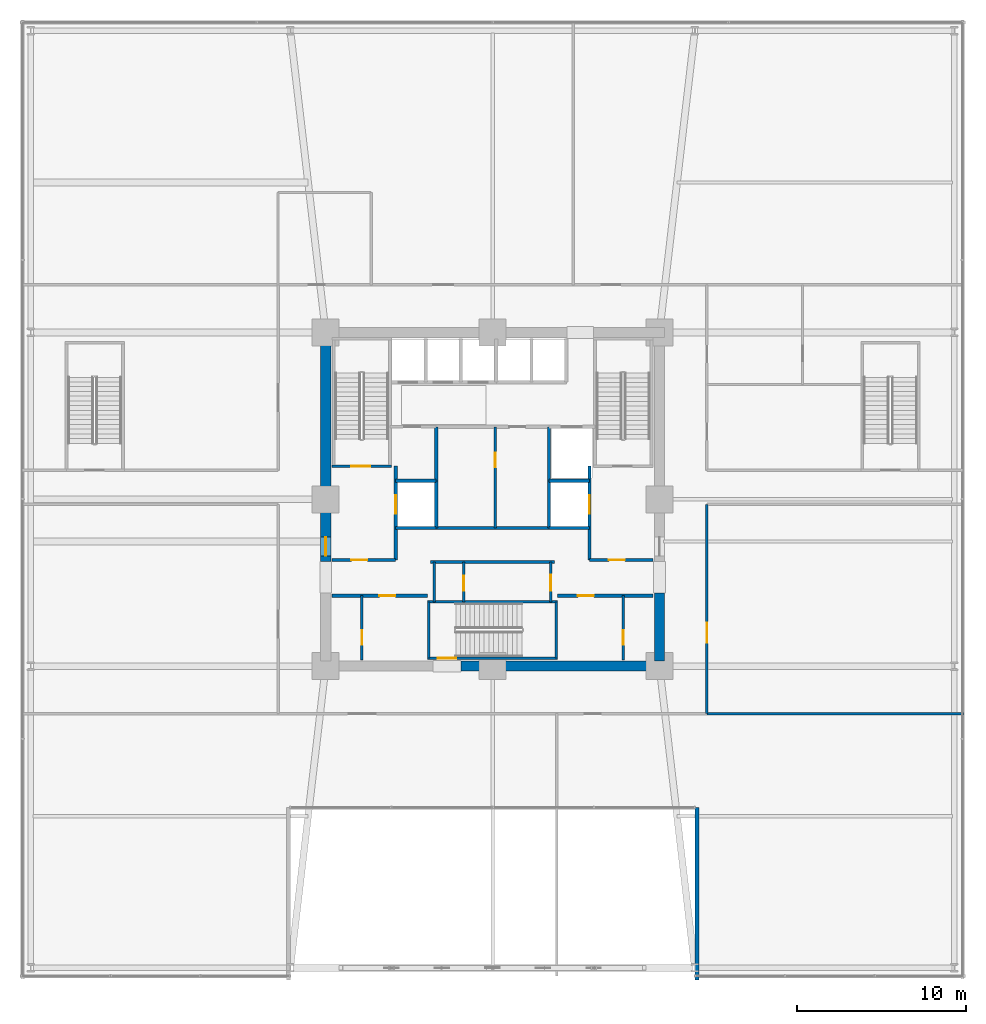
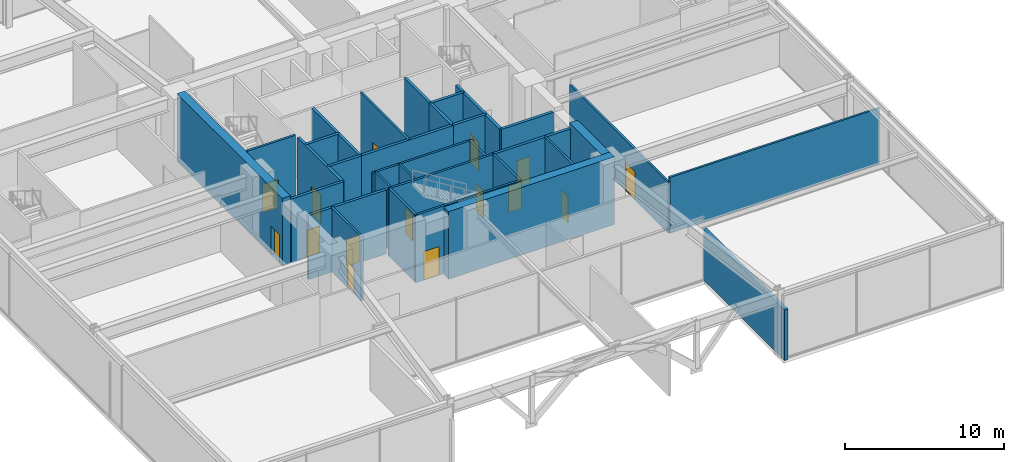
# One storey, part 43 of 49: 33 walls, 15 doors, 15 openings.
"""IFC4 building model written with IfcOpenShell, lengths in metres."""

from ifc_helpers import new_model, si_unit, direction, frame, frame_2d, origin, place, context, subcontext, project, spatial, rectangle, extrude, material, layer, layer_set, type_object, element, fill, save


model = new_model("IFC4")

# Units and contexts
model_context = context("Model", 3, precision=1e-05, world=origin(), true_north=direction((0.0, 1.0)))
body_context = subcontext(model_context, "Body", "Model", "MODEL_VIEW")
ifc_project = project(units=[si_unit("LENGTHUNIT", "METRE"), si_unit("AREAUNIT", "SQUARE_METRE"), si_unit("VOLUMEUNIT", "CUBIC_METRE"), si_unit("PLANEANGLEUNIT", "RADIAN"), si_unit("MASSUNIT", "GRAM", prefix="KILO")], contexts=[model_context])

# Site, building, storey
site_placement = place(None, origin())
site = spatial("IfcSite", under=ifc_project, at=site_placement, CompositionType="ELEMENT")
building_placement = place(site_placement, origin())
building = spatial("IfcBuilding", under=site, at=building_placement, Name="Kolvaren Belvedere", CompositionType="ELEMENT")
storey_placement = place(building_placement, frame((0.0, 0.0, 10.0)))
storey = spatial("IfcBuildingStorey", under=building, at=storey_placement, Name="L03", CompositionType="ELEMENT", Elevation=10.0)

# Walls
ifc_material_1 = material(Name="Concrete C60/75", Category="concrete")
ifc_layer_1 = layer(ifc_material_1, 0.60009765625)
ifc_layer_set_1 = layer_set([ifc_layer_1], Name="Concrete C60/75")
wall_type_1 = type_object("IfcWallType", Name="CW-CORE-600", PredefinedType="SHEAR", material=ifc_layer_set_1)
wall_1_placement = place(storey_placement, frame((10.199951171875, -9.89990234375, 0.0), z_axis=(0.0, 0.0, 1.0), x_axis=(-1.0, 0.0, 0.0)))
element("IfcWall", 1, at=wall_1_placement, inside=storey, type_object=wall_type_1, Name="L03 South Core Shear Wall 1", PredefinedType="SHEAR", context=body_context, shape_type="SweptSolid", body=[
    extrude(rectangle(XDim=12.06005859375, YDim=0.60009765625, at=frame_2d((6.030029296875, 0.0))), origin(), (0.0, 0.0, 1.0), 5.199951171875),
])
wall_2_placement = place(storey_placement, frame((9.89990234375, -9.60009765625, 0.0), z_axis=(0.0, 0.0, 1.0), x_axis=(0.0, 1.0, 0.0)))
element("IfcWall", 2, at=wall_2_placement, inside=storey, type_object=wall_type_1, Name="L03 East Core Shear Wall 1", PredefinedType="SHEAR", context=body_context, shape_type="SweptSolid", body=[
    extrude(rectangle(XDim=4.050048828125, YDim=0.60009765625, at=frame_2d((2.02490234375, 0.0))), origin(), (0.0, 0.0, 1.0), 5.199951171875),
])

# Wall, opening, door
wall_3_placement = place(storey_placement, frame((-9.89990234375, -3.699951171875, 0.0), z_axis=(0.0, 0.0, 1.0), x_axis=(0.0, 1.0, 0.0)))
wall_3 = element("IfcWall", 3, at=wall_3_placement, inside=storey, type_object=wall_type_1, Name="L03 West Core Shear Wall 2", PredefinedType="SHEAR", context=body_context, shape_type="SweptSolid", body=[
    extrude(rectangle(XDim=13.300048828125, YDim=0.60009765625, at=frame_2d((6.64990234375, 0.0))), origin(), (0.0, 0.0, 1.0), 5.199951171875),
])
opening_1_placement = place(wall_3_placement, frame((0.35009765625, 0.0, 0.0)))
opening_1 = element("IfcOpeningElement", 4, at=opening_1_placement, cuts=wall_3, Name="Opening D-FD90", PredefinedType="OPENING", context=body_context, shape_type="SweptSolid", body=[
    extrude(rectangle(XDim=1.10009765625, YDim=2.199951171875, at=frame_2d((0.550048828125, 1.10009765625))), frame((0.0, 0.31005859375, 0.0), z_axis=(0.0, -1.0, 0.0), x_axis=(1.0, 0.0, 0.0)), (0.0, 0.0, 1.0), 0.6201171875),
])
ifc_material_2 = material(Name="Painted hollow stainless steel", Category="steel")
door_type_1 = type_object("IfcDoorType", Name="DR-FD90-1100", OperationType="NOTDEFINED", PredefinedType="DOOR", material=ifc_material_2)
door_1_placement = place(opening_1_placement, origin())
door_1 = element("IfcDoor", 5, at=door_1_placement, inside=storey, type_object=door_type_1, Name="L03 West Firefighting Lobby Fire Door", OperationType="SINGLE_SWING_LEFT", OverallHeight=2.199951171875, OverallWidth=1.10009765625, PredefinedType="DOOR", context=body_context, shape_type="SweptSolid", body=[
    extrude(rectangle(XDim=1.10009765625, YDim=2.199951171875, at=frame_2d((0.550048828125, 1.10009765625))), frame((0.0, 0.02490234375, 0.0), z_axis=(0.0, -1.0, 0.0), x_axis=(1.0, 0.0, 0.0)), (0.0, 0.0, 1.0), 0.050048828125),
])
fill(opening_1, door_1)

ifc_material_3 = material(Name="Concrete C50/60", Category="concrete")
ifc_layer_2 = layer(ifc_material_3, 0.159912109375)
ifc_layer_set_2 = layer_set([ifc_layer_2], Name="Concrete C50/60")
wall_type_2 = type_object("IfcWallType", Name="CW-STAIR-160", PredefinedType="SHEAR", material=ifc_layer_set_2)
wall_4_placement = place(storey_placement, frame((-9.52001953125, 1.969970703125, 0.0), z_axis=(0.0, 0.0, 1.0), x_axis=(1.0, 0.0, 0.0)))
wall_4 = element("IfcWall", 6, at=wall_4_placement, inside=storey, type_object=wall_type_2, Name="L03 Stair ST-1 South Shear Wall", PredefinedType="SHEAR", context=body_context, shape_type="SweptSolid", body=[
    extrude(rectangle(XDim=3.52001953125, YDim=0.159912109375, at=frame_2d((1.760009765625, 0.0))), origin(), (0.0, 0.0, 1.0), 5.199951171875),
])
opening_2_placement = place(wall_4_placement, frame((1.14990234375, 0.0, 0.0)))
opening_2 = element("IfcOpeningElement", 7, at=opening_2_placement, cuts=wall_4, Name="Opening D-FD90", PredefinedType="OPENING", context=body_context, shape_type="SweptSolid", body=[
    extrude(rectangle(XDim=1.10009765625, YDim=2.199951171875, at=frame_2d((0.550048828125, 1.10009765625))), frame((0.0, 0.08984375, 0.0), z_axis=(0.0, -1.0, 0.0), x_axis=(1.0, 0.0, 0.0)), (0.0, 0.0, 1.0), 0.179931640625),
])
door_2_placement = place(opening_2_placement, origin())
door_2 = element("IfcDoor", 8, at=door_2_placement, inside=storey, type_object=door_type_1, Name="L03 Stair ST-1 Fire Door", OperationType="SINGLE_SWING_LEFT", OverallHeight=2.199951171875, OverallWidth=1.10009765625, PredefinedType="DOOR", context=body_context, shape_type="SweptSolid", body=[
    extrude(rectangle(XDim=1.10009765625, YDim=2.199951171875, at=frame_2d((0.550048828125, 1.10009765625))), frame((0.0, 0.02490234375, 0.0), z_axis=(0.0, -1.0, 0.0), x_axis=(1.0, 0.0, 0.0)), (0.0, 0.0, 1.0), 0.050048828125),
])
fill(opening_2, door_2)

wall_5_placement = place(storey_placement, frame((3.860107421875, -9.429931640625, 0.0), z_axis=(0.0, 0.0, 1.0), x_axis=(-1.0, 0.0, 0.0)))
wall_5 = element("IfcWall", 9, at=wall_5_placement, inside=storey, type_object=wall_type_2, Name="L03 Stair ST-3 South Shear Wall", PredefinedType="SHEAR", context=body_context, shape_type="SweptSolid", body=[
    extrude(rectangle(XDim=7.72021484375, YDim=0.159912109375, at=frame_2d((3.860107421875, 0.0))), origin(), (0.0, 0.0, 1.0), 5.199951171875),
])
opening_3_placement = place(wall_5_placement, frame((6.010009765625, 0.0, 0.0)))
opening_3 = element("IfcOpeningElement", 10, at=opening_3_placement, cuts=wall_5, Name="Opening D-FD90", PredefinedType="OPENING", context=body_context, shape_type="SweptSolid", body=[
    extrude(rectangle(XDim=1.10009765625, YDim=2.199951171875, at=frame_2d((0.550048828125, 1.10009765625))), frame((0.0, 0.08984375, 0.0), z_axis=(0.0, -1.0, 0.0), x_axis=(1.0, 0.0, 0.0)), (0.0, 0.0, 1.0), 0.179931640625),
])
door_3_placement = place(opening_3_placement, origin())
door_3 = element("IfcDoor", 11, at=door_3_placement, inside=storey, type_object=door_type_1, Name="L03 Stair ST-3 Exit Door", OperationType="SINGLE_SWING_RIGHT", OverallHeight=2.199951171875, OverallWidth=1.10009765625, PredefinedType="DOOR", context=body_context, shape_type="SweptSolid", body=[
    extrude(rectangle(XDim=1.10009765625, YDim=2.199951171875, at=frame_2d((0.550048828125, 1.10009765625))), frame((0.0, 0.02490234375, 0.0), z_axis=(0.0, -1.0, 0.0), x_axis=(1.0, 0.0, 0.0)), (0.0, 0.0, 1.0), 0.050048828125),
])
fill(opening_3, door_3)

# Walls
wall_6_placement = place(storey_placement, frame((-3.860107421875, -6.080078125, 0.0), z_axis=(0.0, 0.0, 1.0), x_axis=(1.0, 0.0, 0.0)))
element("IfcWall", 12, at=wall_6_placement, inside=storey, type_object=wall_type_2, Name="L03 Stair ST-3 North Shear Wall", PredefinedType="SHEAR", context=body_context, shape_type="SweptSolid", body=[
    extrude(rectangle(XDim=7.72021484375, YDim=0.159912109375, at=frame_2d((3.860107421875, 0.0))), origin(), (0.0, 0.0, 1.0), 5.199951171875),
])
for number, where, z_axis, x_axis, name in (
    (13, (-3.780029296875, -9.429931640625, 0.0), (0.0, 0.0, 1.0), (0.0, 1.0, 0.0), "L03 Stair ST-3 West Shear Wall"),
    (14, (3.780029296875, -9.429931640625, 0.0), (0.0, 0.0, 1.0), (0.0, 1.0, 0.0), "L03 Stair ST-3 East Shear Wall"),
):
    element("IfcWall", number, at=place(storey_placement, frame(where, z_axis=z_axis, x_axis=x_axis)), inside=storey, type_object=wall_type_2, Name=name, PredefinedType="SHEAR", context=body_context, shape_type="SweptSolid", body=[
        extrude(rectangle(XDim=3.349853515625, YDim=0.159912109375, at=frame_2d((1.6748046875, 0.0))), origin(), (0.0, 0.0, 1.0), 5.199951171875),
    ])

# Wall, opening, door
ifc_material_4 = material(Name="Gypsum fire-rated partition assembly", Category="gypsum")
ifc_layer_3 = layer(ifc_material_4, 0.14990234375)
ifc_layer_set_3 = layer_set([ifc_layer_3], Name="Gypsum fire-rated partition assembly")
wall_type_3 = type_object("IfcWallType", Name="WL-CORR-150", PredefinedType="PARTITIONING", material=ifc_layer_set_3)
wall_7_placement = place(storey_placement, frame((12.719970703125, -12.719970703125, 0.0), z_axis=(0.0, 0.0, 1.0), x_axis=(0.0, 1.0, 0.0)))
wall_7 = element("IfcWall", 15, at=wall_7_placement, inside=storey, type_object=wall_type_3, Name="L03 East Corridor Wall S", PredefinedType="PARTITIONING", context=body_context, shape_type="SweptSolid", body=[
    extrude(rectangle(XDim=12.419921875, YDim=0.14990234375, at=frame_2d((6.2099609375, 0.0))), origin(), (0.0, 0.0, 1.0), 3.89404296875),
])
opening_4_placement = place(wall_7_placement, frame((4.199951171875, 0.0, 0.0)))
opening_4 = element("IfcOpeningElement", 16, at=opening_4_placement, cuts=wall_7, Name="Opening D-GL12", PredefinedType="OPENING", context=body_context, shape_type="SweptSolid", body=[
    extrude(rectangle(XDim=1.199951171875, YDim=2.199951171875, at=frame_2d((0.60009765625, 1.10009765625))), frame((0.0, 0.0849609375, 0.0), z_axis=(0.0, -1.0, 0.0), x_axis=(1.0, 0.0, 0.0)), (0.0, 0.0, 1.0), 0.169921875),
])
ifc_material_5 = material(Name="Anodised pale-metal aluminium & safety glass", Category="aluminium")
door_type_2 = type_object("IfcDoorType", Name="DR-GLAZ-1200", OperationType="DOUBLE_DOOR_SINGLE_SWING", PredefinedType="DOOR", material=ifc_material_5)
door_4_placement = place(opening_4_placement, origin())
door_4 = element("IfcDoor", 17, at=door_4_placement, inside=storey, type_object=door_type_2, Name="L03 Puget Sound VIP Reception Salon Door", OperationType="DOUBLE_DOOR_SINGLE_SWING", OverallHeight=2.199951171875, OverallWidth=1.199951171875, PredefinedType="DOOR", context=body_context, shape_type="SweptSolid", body=[
    extrude(rectangle(XDim=1.199951171875, YDim=2.199951171875, at=frame_2d((0.60009765625, 1.10009765625))), frame((0.0, 0.02490234375, 0.0), z_axis=(0.0, -1.0, 0.0), x_axis=(1.0, 0.0, 0.0)), (0.0, 0.0, 1.0), 0.050048828125),
])
fill(opening_4, door_4)

# Walls
wall_8_placement = place(storey_placement, frame((12.719970703125, -12.719970703125, 0.0), z_axis=(0.0, 0.0, 1.0), x_axis=(1.0, 0.0, 0.0)))
element("IfcWall", 18, at=wall_8_placement, inside=storey, type_object=wall_type_3, Name="L03 Sector Wall PW-L03-QSE", PredefinedType="PARTITIONING", context=body_context, shape_type="SweptSolid", body=[
    extrude(rectangle(XDim=15.260009765625, YDim=0.14990234375, at=frame_2d((7.6298828125, 0.0))), origin(), (0.0, 0.0, 1.0), 4.2890625),
])
ifc_material_6 = material(Name="Insulated pale-metal facade wall assembly", Category="aluminium")
ifc_layer_4 = layer(ifc_material_6, 0.239990234375)
ifc_layer_set_4 = layer_set([ifc_layer_4], Name="Insulated pale-metal facade wall assembly")
wall_type_4 = type_object("IfcWallType", Name="WL-EXT-240", PredefinedType="STANDARD", material=ifc_layer_set_4)
wall_9_placement = place(storey_placement, frame((12.1201171875, -28.52001953125, 0.0), z_axis=(0.0, 0.0, 1.0), x_axis=(0.0, 1.0, 0.0)))
element("IfcWall", 19, at=wall_9_placement, inside=storey, type_object=wall_type_4, Name="L03 Serrated Corner Facade Wall 4", PredefinedType="STANDARD", context=body_context, shape_type="SweptSolid", body=[
    extrude(rectangle(XDim=10.239990234375, YDim=0.239990234375, at=frame_2d((5.1201171875, 0.0))), origin(), (0.0, 0.0, 1.0), 3.904052734375),
])

# Wall, opening, door
ifc_material_7 = material(Name="Gypsum acoustic partition assembly", Category="gypsum")
ifc_layer_5 = layer(ifc_material_7, 0.14990234375)
ifc_layer_set_5 = layer_set([ifc_layer_5], Name="Gypsum acoustic partition assembly")
wall_type_5 = type_object("IfcWallType", Name="WL-PART-150", PredefinedType="PARTITIONING", material=ifc_layer_set_5)
wall_10_placement = place(storey_placement, frame((-7.75, -9.52001953125, 0.0), z_axis=(0.0, 0.0, 1.0), x_axis=(0.0, 1.0, 0.0)))
wall_10 = element("IfcWall", 20, at=wall_10_placement, inside=storey, type_object=wall_type_5, Name="L03 SW Core Asymmetric Divider", PredefinedType="PARTITIONING", context=body_context, shape_type="SweptSolid", body=[
    extrude(rectangle(XDim=3.800048828125, YDim=0.14990234375, at=frame_2d((1.89990234375, 0.0))), origin(), (0.0, 0.0, 1.0), 4.919921875),
])
opening_5_placement = place(wall_10_placement, frame((0.89990234375, 0.0, 0.0)))
opening_5 = element("IfcOpeningElement", 21, at=opening_5_placement, cuts=wall_10, Name="Opening D-INT85", PredefinedType="OPENING", context=body_context, shape_type="SweptSolid", body=[
    extrude(rectangle(XDim=0.85009765625, YDim=2.030029296875, at=frame_2d((0.425048828125, 1.01513671875))), frame((0.0, 0.0849609375, 0.0), z_axis=(0.0, -1.0, 0.0), x_axis=(1.0, 0.0, 0.0)), (0.0, 0.0, 1.0), 0.169921875),
])
ifc_material_8 = material(Name="Stained Pacific white oak", Category="timber")
door_type_3 = type_object("IfcDoorType", Name="DR-INT-850", OperationType="NOTDEFINED", PredefinedType="DOOR", material=ifc_material_8)
door_5_placement = place(opening_5_placement, origin())
door_5 = element("IfcDoor", 22, at=door_5_placement, inside=storey, type_object=door_type_3, Name="L03 SW Glassware Door", OperationType="SINGLE_SWING_RIGHT", OverallHeight=2.030029296875, OverallWidth=0.85009765625, PredefinedType="DOOR", context=body_context, shape_type="SweptSolid", body=[
    extrude(rectangle(XDim=0.85009765625, YDim=2.030029296875, at=frame_2d((0.425048828125, 1.01513671875))), frame((0.0, 0.02490234375, 0.0), z_axis=(0.0, -1.0, 0.0), x_axis=(1.0, 0.0, 0.0)), (0.0, 0.0, 1.0), 0.050048828125),
])
fill(opening_5, door_5)

wall_11_placement = place(storey_placement, frame((7.75, -9.52001953125, 0.0), z_axis=(0.0, 0.0, 1.0), x_axis=(0.0, 1.0, 0.0)))
wall_11 = element("IfcWall", 23, at=wall_11_placement, inside=storey, type_object=wall_type_5, Name="L03 SE Core Asymmetric Divider", PredefinedType="PARTITIONING", context=body_context, shape_type="SweptSolid", body=[
    extrude(rectangle(XDim=3.800048828125, YDim=0.14990234375, at=frame_2d((1.89990234375, 0.0))), origin(), (0.0, 0.0, 1.0), 4.919921875),
])
opening_6_placement = place(wall_11_placement, frame((0.89990234375, 0.0, 0.0)))
opening_6 = element("IfcOpeningElement", 24, at=opening_6_placement, cuts=wall_11, Name="Opening D-INT85", PredefinedType="OPENING", context=body_context, shape_type="SweptSolid", body=[
    extrude(rectangle(XDim=0.85009765625, YDim=2.030029296875, at=frame_2d((0.425048828125, 1.01513671875))), frame((0.0, 0.0849609375, 0.0), z_axis=(0.0, -1.0, 0.0), x_axis=(1.0, 0.0, 0.0)), (0.0, 0.0, 1.0), 0.169921875),
])
door_6_placement = place(opening_6_placement, origin())
door_6 = element("IfcDoor", 25, at=door_6_placement, inside=storey, type_object=door_type_3, Name="L03 SE Janitor Door", OperationType="SINGLE_SWING_LEFT", OverallHeight=2.030029296875, OverallWidth=0.85009765625, PredefinedType="DOOR", context=body_context, shape_type="SweptSolid", body=[
    extrude(rectangle(XDim=0.85009765625, YDim=2.030029296875, at=frame_2d((0.425048828125, 1.01513671875))), frame((0.0, 0.02490234375, 0.0), z_axis=(0.0, -1.0, 0.0), x_axis=(1.0, 0.0, 0.0)), (0.0, 0.0, 1.0), 0.050048828125),
])
fill(opening_6, door_6)

wall_12_placement = place(storey_placement, frame((0.14990234375, -1.699951171875, 0.0), z_axis=(0.0, 0.0, 1.0), x_axis=(0.0, 1.0, 0.0)))
wall_12 = element("IfcWall", 26, at=wall_12_placement, inside=storey, type_object=wall_type_5, Name="L03 Central Core V-Divider", PredefinedType="PARTITIONING", context=body_context, shape_type="SweptSolid", body=[
    extrude(rectangle(XDim=6.0, YDim=0.14990234375, at=frame_2d((3.0, 0.0))), origin(), (0.0, 0.0, 1.0), 4.919921875),
])
opening_7_placement = place(wall_12_placement, frame((3.60009765625, 0.0, 0.0)))
opening_7 = element("IfcOpeningElement", 27, at=opening_7_placement, cuts=wall_12, Name="Opening D-INT85", PredefinedType="OPENING", context=body_context, shape_type="SweptSolid", body=[
    extrude(rectangle(XDim=0.85009765625, YDim=2.030029296875, at=frame_2d((0.425048828125, 1.01513671875))), frame((0.0, 0.0849609375, 0.0), z_axis=(0.0, -1.0, 0.0), x_axis=(1.0, 0.0, 0.0)), (0.0, 0.0, 1.0), 0.169921875),
])
door_7_placement = place(opening_7_placement, origin())
door_7 = element("IfcDoor", 28, at=door_7_placement, inside=storey, type_object=door_type_3, Name="L03 Central Linen Door", OperationType="SINGLE_SWING_RIGHT", OverallHeight=2.030029296875, OverallWidth=0.85009765625, PredefinedType="DOOR", context=body_context, shape_type="SweptSolid", body=[
    extrude(rectangle(XDim=0.85009765625, YDim=2.030029296875, at=frame_2d((0.425048828125, 1.01513671875))), frame((0.0, 0.02490234375, 0.0), z_axis=(0.0, -1.0, 0.0), x_axis=(1.0, 0.0, 0.0)), (0.0, 0.0, 1.0), 0.050048828125),
])
fill(opening_7, door_7)

# Wall
wall_13_placement = place(storey_placement, frame((-3.679931640625, -3.719970703125, 0.0), z_axis=(0.0, 0.0, 1.0), x_axis=(1.0, 0.0, 0.0)))
element("IfcWall", 29, at=wall_13_placement, inside=storey, type_object=wall_type_5, Name="L03 South Core Service North Wall", PredefinedType="PARTITIONING", context=body_context, shape_type="SweptSolid", body=[
    extrude(rectangle(XDim=7.35986328125, YDim=0.14990234375, at=frame_2d((3.679931640625, 0.0))), origin(), (0.0, 0.0, 1.0), 4.919921875),
])

# Wall, opening, door
wall_14_placement = place(storey_placement, frame((3.449951171875, -6.080078125, 0.0), z_axis=(0.0, 0.0, 1.0), x_axis=(0.0, 1.0, 0.0)))
wall_14 = element("IfcWall", 30, at=wall_14_placement, inside=storey, type_object=wall_type_5, Name="L03 South Core Service East Wall", PredefinedType="PARTITIONING", context=body_context, shape_type="SweptSolid", body=[
    extrude(rectangle(XDim=2.360107421875, YDim=0.14990234375, at=frame_2d((1.18017578125, 0.0))), origin(), (0.0, 0.0, 1.0), 4.919921875),
])
opening_8_placement = place(wall_14_placement, frame((0.64990234375, 0.0, 0.0)))
opening_8 = element("IfcOpeningElement", 31, at=opening_8_placement, cuts=wall_14, Name="Opening D-FD60", PredefinedType="OPENING", context=body_context, shape_type="SweptSolid", body=[
    extrude(rectangle(XDim=0.949951171875, YDim=2.06005859375, at=frame_2d((0.47509765625, 1.030029296875))), frame((0.0, 0.0849609375, 0.0), z_axis=(0.0, -1.0, 0.0), x_axis=(1.0, 0.0, 0.0)), (0.0, 0.0, 1.0), 0.169921875),
])
ifc_material_9 = material(Name="Acoustic white-oak fire door leaf", Category="timber")
door_type_4 = type_object("IfcDoorType", Name="DR-FD60-950", OperationType="NOTDEFINED", PredefinedType="DOOR", material=ifc_material_9)
door_8_placement = place(opening_8_placement, origin())
door_8 = element("IfcDoor", 32, at=door_8_placement, inside=storey, type_object=door_type_4, Name="L03 Core Service Room Door", OperationType="SINGLE_SWING_LEFT", OverallHeight=2.06005859375, OverallWidth=0.949951171875, PredefinedType="DOOR", context=body_context, shape_type="SweptSolid", body=[
    extrude(rectangle(XDim=0.949951171875, YDim=2.06005859375, at=frame_2d((0.47509765625, 1.030029296875))), frame((0.0, 0.02490234375, 0.0), z_axis=(0.0, -1.0, 0.0), x_axis=(1.0, 0.0, 0.0)), (0.0, 0.0, 1.0), 0.050048828125),
])
fill(opening_8, door_8)

# Wall
wall_15_placement = place(storey_placement, frame((-3.449951171875, -6.080078125, 0.0), z_axis=(0.0, 0.0, 1.0), x_axis=(0.0, 1.0, 0.0)))
element("IfcWall", 33, at=wall_15_placement, inside=storey, type_object=wall_type_5, Name="L03 South Core Service West Wall", PredefinedType="PARTITIONING", context=body_context, shape_type="SweptSolid", body=[
    extrude(rectangle(XDim=2.360107421875, YDim=0.14990234375, at=frame_2d((1.18017578125, 0.0))), origin(), (0.0, 0.0, 1.0), 4.919921875),
])

# Wall, opening, door
wall_16_placement = place(storey_placement, frame((-1.699951171875, -6.080078125, 0.0), z_axis=(0.0, 0.0, 1.0), x_axis=(0.0, 1.0, 0.0)))
wall_16 = element("IfcWall", 34, at=wall_16_placement, inside=storey, type_object=wall_type_5, Name="L03 Core Service Divider", PredefinedType="PARTITIONING", context=body_context, shape_type="SweptSolid", body=[
    extrude(rectangle(XDim=2.360107421875, YDim=0.14990234375, at=frame_2d((1.18017578125, 0.0))), origin(), (0.0, 0.0, 1.0), 4.919921875),
])
opening_9_placement = place(wall_16_placement, frame((0.64990234375, 0.0, 0.0)))
opening_9 = element("IfcOpeningElement", 35, at=opening_9_placement, cuts=wall_16, Name="Opening D-INT90", PredefinedType="OPENING", context=body_context, shape_type="SweptSolid", body=[
    extrude(rectangle(XDim=0.89990234375, YDim=2.06005859375, at=frame_2d((0.449951171875, 1.030029296875))), frame((0.0, 0.0849609375, 0.0), z_axis=(0.0, -1.0, 0.0), x_axis=(1.0, 0.0, 0.0)), (0.0, 0.0, 1.0), 0.169921875),
])
ifc_material_10 = material(Name="Stained Pacific white oak", Category="timber")
door_type_5 = type_object("IfcDoorType", Name="DR-INT-900", OperationType="NOTDEFINED", PredefinedType="DOOR", material=ifc_material_10)
door_9_placement = place(opening_9_placement, origin())
door_9 = element("IfcDoor", 36, at=door_9_placement, inside=storey, type_object=door_type_5, Name="L03 Telecom Inner Door", OperationType="SINGLE_SWING_RIGHT", OverallHeight=2.06005859375, OverallWidth=0.89990234375, PredefinedType="DOOR", context=body_context, shape_type="SweptSolid", body=[
    extrude(rectangle(XDim=0.89990234375, YDim=2.06005859375, at=frame_2d((0.449951171875, 1.030029296875))), frame((0.0, 0.02490234375, 0.0), z_axis=(0.0, -1.0, 0.0), x_axis=(1.0, 0.0, 0.0)), (0.0, 0.0, 1.0), 0.050048828125),
])
fill(opening_9, door_9)

ifc_material_11 = material(Name="Concrete C50/60", Category="concrete")
ifc_layer_6 = layer(ifc_material_11, 0.199951171875)
ifc_layer_set_6 = layer_set([ifc_layer_6], Name="Concrete C50/60")
wall_type_6 = type_object("IfcWallType", Name="WL-SHAFT-200", PredefinedType="SOLIDWALL", material=ifc_layer_set_6)
wall_17_placement = place(storey_placement, frame((-9.52001953125, -3.60009765625, 0.0), z_axis=(0.0, 0.0, 1.0), x_axis=(1.0, 0.0, 0.0)))
wall_17 = element("IfcWall", 37, at=wall_17_placement, inside=storey, type_object=wall_type_6, Name="L03 West FSAE Lobby South Wall", PredefinedType="SOLIDWALL", context=body_context, shape_type="SweptSolid", body=[
    extrude(rectangle(XDim=3.77001953125, YDim=0.199951171875, at=frame_2d((1.885009765625, 0.0))), origin(), (0.0, 0.0, 1.0), 4.919921875),
])
opening_10_placement = place(wall_17_placement, frame((1.14990234375, 0.0, 0.0)))
opening_10 = element("IfcOpeningElement", 38, at=opening_10_placement, cuts=wall_17, Name="Opening D-FD60", PredefinedType="OPENING", context=body_context, shape_type="SweptSolid", body=[
    extrude(rectangle(XDim=0.949951171875, YDim=2.06005859375, at=frame_2d((0.47509765625, 1.030029296875))), frame((0.0, 0.10986328125, 0.0), z_axis=(0.0, -1.0, 0.0), x_axis=(1.0, 0.0, 0.0)), (0.0, 0.0, 1.0), 0.219970703125),
])
door_10_placement = place(opening_10_placement, origin())
door_10 = element("IfcDoor", 39, at=door_10_placement, inside=storey, type_object=door_type_4, Name="L03 SW Lift Lobby Fire Door", OperationType="SINGLE_SWING_LEFT", OverallHeight=2.06005859375, OverallWidth=0.949951171875, PredefinedType="DOOR", context=body_context, shape_type="SweptSolid", body=[
    extrude(rectangle(XDim=0.949951171875, YDim=2.06005859375, at=frame_2d((0.47509765625, 1.030029296875))), frame((0.0, 0.02490234375, 0.0), z_axis=(0.0, -1.0, 0.0), x_axis=(1.0, 0.0, 0.0)), (0.0, 0.0, 1.0), 0.050048828125),
])
fill(opening_10, door_10)

wall_18_placement = place(storey_placement, frame((-5.75, -3.60009765625, 0.0), z_axis=(0.0, 0.0, 1.0), x_axis=(0.0, 1.0, 0.0)))
wall_18 = element("IfcWall", 40, at=wall_18_placement, inside=storey, type_object=wall_type_6, Name="L03 FSAE FS1 Landing Wall", PredefinedType="SOLIDWALL", context=body_context, shape_type="SweptSolid", body=[
    extrude(rectangle(XDim=5.570068359375, YDim=0.199951171875, at=frame_2d((2.78515625, 0.0))), origin(), (0.0, 0.0, 1.0), 4.919921875),
])
opening_11_placement = place(wall_18_placement, frame((2.75, 0.0, 0.0)))
opening_11 = element("IfcOpeningElement", 41, at=opening_11_placement, cuts=wall_18, Name="Opening LD-11", PredefinedType="OPENING", context=body_context, shape_type="SweptSolid", body=[
    extrude(rectangle(XDim=1.10009765625, YDim=2.199951171875, at=frame_2d((0.550048828125, 1.10009765625))), frame((0.0, 0.10986328125, 0.0), z_axis=(0.0, -1.0, 0.0), x_axis=(1.0, 0.0, 0.0)), (0.0, 0.0, 1.0), 0.219970703125),
])
ifc_material_12 = material(Name="Brushed stainless steel", Category="steel")
door_type_6 = type_object("IfcDoorType", Name="DR-LIFT-1100", OperationType="DOUBLE_DOOR_SLIDING", PredefinedType="DOOR", material=ifc_material_12)
door_11_placement = place(opening_11_placement, origin())
door_11 = element("IfcDoor", 42, at=door_11_placement, inside=storey, type_object=door_type_6, Name="L03 Firefighting Lift FS1 Landing Door", OperationType="DOUBLE_DOOR_SLIDING", OverallHeight=2.199951171875, OverallWidth=1.10009765625, PredefinedType="DOOR", context=body_context, shape_type="SweptSolid", body=[
    extrude(rectangle(XDim=1.10009765625, YDim=2.199951171875, at=frame_2d((0.550048828125, 1.10009765625))), frame((0.0, 0.02490234375, 0.0), z_axis=(0.0, -1.0, 0.0), x_axis=(1.0, 0.0, 0.0)), (0.0, 0.0, 1.0), 0.050048828125),
])
fill(opening_11, door_11)

# Walls
wall_19_placement = place(storey_placement, frame((-3.35009765625, -1.699951171875, 0.0), z_axis=(0.0, 0.0, 1.0), x_axis=(0.0, 1.0, 0.0)))
element("IfcWall", 43, at=wall_19_placement, inside=storey, type_object=wall_type_6, Name="L03 FSAE FS1 Back Wall", PredefinedType="SOLIDWALL", context=body_context, shape_type="SweptSolid", body=[
    extrude(rectangle(XDim=2.800048828125, YDim=0.199951171875, at=frame_2d((1.39990234375, 0.0))), origin(), (0.0, 0.0, 1.0), 4.919921875),
])
for number, where, z_axis, x_axis, name in (
    (44, (-5.75, -1.699951171875, 0.0), (0.0, 0.0, 1.0), (1.0, 0.0, 0.0), "L03 FSAE FS1 South Wall"),
    (45, (-5.75, 1.10009765625, 0.0), (0.0, 0.0, 1.0), (1.0, 0.0, 0.0), "L03 FSAE FS1 North Wall"),
):
    element("IfcWall", number, at=place(storey_placement, frame(where, z_axis=z_axis, x_axis=x_axis)), inside=storey, type_object=wall_type_6, Name=name, PredefinedType="SOLIDWALL", context=body_context, shape_type="SweptSolid", body=[
        extrude(rectangle(XDim=2.39990234375, YDim=0.199951171875, at=frame_2d((1.199951171875, 0.0))), origin(), (0.0, 0.0, 1.0), 4.919921875),
    ])

# Wall, opening, door
wall_20_placement = place(storey_placement, frame((5.75, -3.60009765625, 0.0), z_axis=(0.0, 0.0, 1.0), x_axis=(1.0, 0.0, 0.0)))
wall_20 = element("IfcWall", 46, at=wall_20_placement, inside=storey, type_object=wall_type_6, Name="L03 East FSAE Lobby South Wall", PredefinedType="SOLIDWALL", context=body_context, shape_type="SweptSolid", body=[
    extrude(rectangle(XDim=3.77001953125, YDim=0.199951171875, at=frame_2d((1.885009765625, 0.0))), origin(), (0.0, 0.0, 1.0), 4.919921875),
])
opening_12_placement = place(wall_20_placement, frame((1.14990234375, 0.0, 0.0)))
opening_12 = element("IfcOpeningElement", 47, at=opening_12_placement, cuts=wall_20, Name="Opening D-FD60", PredefinedType="OPENING", context=body_context, shape_type="SweptSolid", body=[
    extrude(rectangle(XDim=0.949951171875, YDim=2.06005859375, at=frame_2d((0.47509765625, 1.030029296875))), frame((0.0, 0.10986328125, 0.0), z_axis=(0.0, -1.0, 0.0), x_axis=(1.0, 0.0, 0.0)), (0.0, 0.0, 1.0), 0.219970703125),
])
door_12_placement = place(opening_12_placement, origin())
door_12 = element("IfcDoor", 48, at=door_12_placement, inside=storey, type_object=door_type_4, Name="L03 SE Lift Lobby Fire Door", OperationType="SINGLE_SWING_RIGHT", OverallHeight=2.06005859375, OverallWidth=0.949951171875, PredefinedType="DOOR", context=body_context, shape_type="SweptSolid", body=[
    extrude(rectangle(XDim=0.949951171875, YDim=2.06005859375, at=frame_2d((0.47509765625, 1.030029296875))), frame((0.0, 0.02490234375, 0.0), z_axis=(0.0, -1.0, 0.0), x_axis=(1.0, 0.0, 0.0)), (0.0, 0.0, 1.0), 0.050048828125),
])
fill(opening_12, door_12)

wall_21_placement = place(storey_placement, frame((5.75, -3.60009765625, 0.0), z_axis=(0.0, 0.0, 1.0), x_axis=(0.0, 1.0, 0.0)))
wall_21 = element("IfcWall", 49, at=wall_21_placement, inside=storey, type_object=wall_type_6, Name="L03 FSAE FS2 Landing Wall", PredefinedType="SOLIDWALL", context=body_context, shape_type="SweptSolid", body=[
    extrude(rectangle(XDim=5.570068359375, YDim=0.199951171875, at=frame_2d((2.78515625, 0.0))), origin(), (0.0, 0.0, 1.0), 4.919921875),
])
opening_13_placement = place(wall_21_placement, frame((2.75, 0.0, 0.0)))
opening_13 = element("IfcOpeningElement", 50, at=opening_13_placement, cuts=wall_21, Name="Opening LD-11", PredefinedType="OPENING", context=body_context, shape_type="SweptSolid", body=[
    extrude(rectangle(XDim=1.10009765625, YDim=2.199951171875, at=frame_2d((0.550048828125, 1.10009765625))), frame((0.0, 0.10986328125, 0.0), z_axis=(0.0, -1.0, 0.0), x_axis=(1.0, 0.0, 0.0)), (0.0, 0.0, 1.0), 0.219970703125),
])
door_13_placement = place(opening_13_placement, origin())
door_13 = element("IfcDoor", 51, at=door_13_placement, inside=storey, type_object=door_type_6, Name="L03 Firefighting Lift FS2 Landing Door", OperationType="DOUBLE_DOOR_SLIDING", OverallHeight=2.199951171875, OverallWidth=1.10009765625, PredefinedType="DOOR", context=body_context, shape_type="SweptSolid", body=[
    extrude(rectangle(XDim=1.10009765625, YDim=2.199951171875, at=frame_2d((0.550048828125, 1.10009765625))), frame((0.0, 0.02490234375, 0.0), z_axis=(0.0, -1.0, 0.0), x_axis=(1.0, 0.0, 0.0)), (0.0, 0.0, 1.0), 0.050048828125),
])
fill(opening_13, door_13)

# Walls
wall_22_placement = place(storey_placement, frame((3.35009765625, -1.699951171875, 0.0), z_axis=(0.0, 0.0, 1.0), x_axis=(0.0, 1.0, 0.0)))
element("IfcWall", 52, at=wall_22_placement, inside=storey, type_object=wall_type_6, Name="L03 FSAE FS2 Back Wall", PredefinedType="SOLIDWALL", context=body_context, shape_type="SweptSolid", body=[
    extrude(rectangle(XDim=2.800048828125, YDim=0.199951171875, at=frame_2d((1.39990234375, 0.0))), origin(), (0.0, 0.0, 1.0), 4.919921875),
])
for number, where, z_axis, x_axis, name in (
    (53, (3.35009765625, -1.699951171875, 0.0), (0.0, 0.0, 1.0), (1.0, 0.0, 0.0), "L03 FSAE FS2 South Wall"),
    (54, (3.35009765625, 1.10009765625, 0.0), (0.0, 0.0, 1.0), (1.0, 0.0, 0.0), "L03 FSAE FS2 North Wall"),
):
    element("IfcWall", number, at=place(storey_placement, frame(where, z_axis=z_axis, x_axis=x_axis)), inside=storey, type_object=wall_type_6, Name=name, PredefinedType="SOLIDWALL", context=body_context, shape_type="SweptSolid", body=[
        extrude(rectangle(XDim=2.39990234375, YDim=0.199951171875, at=frame_2d((1.199951171875, 0.0))), origin(), (0.0, 0.0, 1.0), 4.919921875),
    ])

# Wall, opening, door
wall_23_placement = place(storey_placement, frame((-9.52001953125, -5.719970703125, 0.0), z_axis=(0.0, 0.0, 1.0), x_axis=(1.0, 0.0, 0.0)))
wall_23 = element("IfcWall", 55, at=wall_23_placement, inside=storey, type_object=wall_type_6, Name="L03 SW Core Reserve Wall", PredefinedType="SOLIDWALL", context=body_context, shape_type="SweptSolid", body=[
    extrude(rectangle(XDim=5.659912109375, YDim=0.199951171875, at=frame_2d((2.830078125, 0.0))), origin(), (0.0, 0.0, 1.0), 4.919921875),
])
opening_14_placement = place(wall_23_placement, frame((2.800048828125, 0.0, 0.0)))
opening_14 = element("IfcOpeningElement", 56, at=opening_14_placement, cuts=wall_23, Name="Opening D-FD60", PredefinedType="OPENING", context=body_context, shape_type="SweptSolid", body=[
    extrude(rectangle(XDim=0.949951171875, YDim=2.06005859375, at=frame_2d((0.47509765625, 1.030029296875))), frame((0.0, 0.10986328125, 0.0), z_axis=(0.0, -1.0, 0.0), x_axis=(1.0, 0.0, 0.0)), (0.0, 0.0, 1.0), 0.219970703125),
])
door_14_placement = place(opening_14_placement, origin())
door_14 = element("IfcDoor", 57, at=door_14_placement, inside=storey, type_object=door_type_4, Name="L03 SW Cellar Door", OperationType="SINGLE_SWING_LEFT", OverallHeight=2.06005859375, OverallWidth=0.949951171875, PredefinedType="DOOR", context=body_context, shape_type="SweptSolid", body=[
    extrude(rectangle(XDim=0.949951171875, YDim=2.06005859375, at=frame_2d((0.47509765625, 1.030029296875))), frame((0.0, 0.02490234375, 0.0), z_axis=(0.0, -1.0, 0.0), x_axis=(1.0, 0.0, 0.0)), (0.0, 0.0, 1.0), 0.050048828125),
])
fill(opening_14, door_14)

wall_24_placement = place(storey_placement, frame((3.860107421875, -5.719970703125, 0.0), z_axis=(0.0, 0.0, 1.0), x_axis=(1.0, 0.0, 0.0)))
wall_24 = element("IfcWall", 58, at=wall_24_placement, inside=storey, type_object=wall_type_6, Name="L03 SE Core Distribution Wall", PredefinedType="SOLIDWALL", context=body_context, shape_type="SweptSolid", body=[
    extrude(rectangle(XDim=5.659912109375, YDim=0.199951171875, at=frame_2d((2.830078125, 0.0))), origin(), (0.0, 0.0, 1.0), 4.919921875),
])
opening_15_placement = place(wall_24_placement, frame((1.199951171875, 0.0, 0.0)))
opening_15 = element("IfcOpeningElement", 59, at=opening_15_placement, cuts=wall_24, Name="Opening D-FD60", PredefinedType="OPENING", context=body_context, shape_type="SweptSolid", body=[
    extrude(rectangle(XDim=0.949951171875, YDim=2.06005859375, at=frame_2d((0.47509765625, 1.030029296875))), frame((0.0, 0.10986328125, 0.0), z_axis=(0.0, -1.0, 0.0), x_axis=(1.0, 0.0, 0.0)), (0.0, 0.0, 1.0), 0.219970703125),
])
door_15_placement = place(opening_15_placement, origin())
door_15 = element("IfcDoor", 60, at=door_15_placement, inside=storey, type_object=door_type_4, Name="L03 SE BMS Store Door", OperationType="SINGLE_SWING_RIGHT", OverallHeight=2.06005859375, OverallWidth=0.949951171875, PredefinedType="DOOR", context=body_context, shape_type="SweptSolid", body=[
    extrude(rectangle(XDim=0.949951171875, YDim=2.06005859375, at=frame_2d((0.47509765625, 1.030029296875))), frame((0.0, 0.02490234375, 0.0), z_axis=(0.0, -1.0, 0.0), x_axis=(1.0, 0.0, 0.0)), (0.0, 0.0, 1.0), 0.050048828125),
])
fill(opening_15, door_15)

# Walls
wall_25_placement = place(storey_placement, frame((-3.35009765625, -1.699951171875, 0.0), z_axis=(0.0, 0.0, 1.0), x_axis=(1.0, 0.0, 0.0)))
element("IfcWall", 61, at=wall_25_placement, inside=storey, type_object=wall_type_6, Name="L03 Central Core Room South Wall", PredefinedType="SOLIDWALL", context=body_context, shape_type="SweptSolid", body=[
    extrude(rectangle(XDim=6.7001953125, YDim=0.199951171875, at=frame_2d((3.35009765625, 0.0))), origin(), (0.0, 0.0, 1.0), 4.919921875),
])
for number, where, z_axis, x_axis, name in (
    (62, (-3.35009765625, 1.10009765625, 0.0), (0.0, 0.0, 1.0), (0.0, 1.0, 0.0), "L03 Central Core Room West Wall"),
    (63, (3.35009765625, 1.10009765625, 0.0), (0.0, 0.0, 1.0), (0.0, 1.0, 0.0), "L03 Central Core Room East Wall"),
):
    element("IfcWall", number, at=place(storey_placement, frame(where, z_axis=z_axis, x_axis=x_axis)), inside=storey, type_object=wall_type_6, Name=name, PredefinedType="SOLIDWALL", context=body_context, shape_type="SweptSolid", body=[
        extrude(rectangle(XDim=3.199951171875, YDim=0.199951171875, at=frame_2d((1.60009765625, 0.0))), origin(), (0.0, 0.0, 1.0), 4.919921875),
    ])

save(model, "model.ifc")
